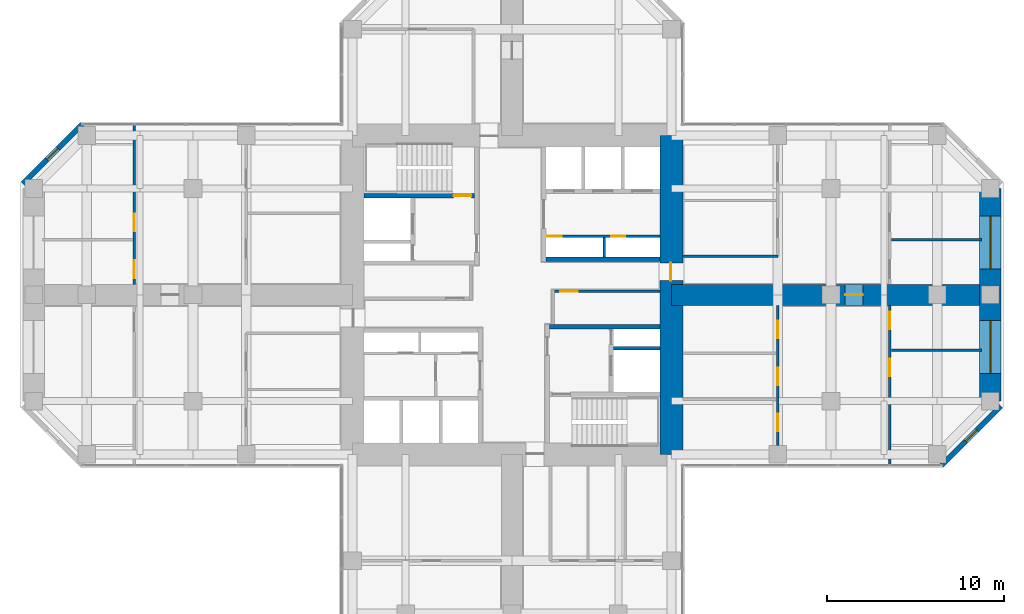
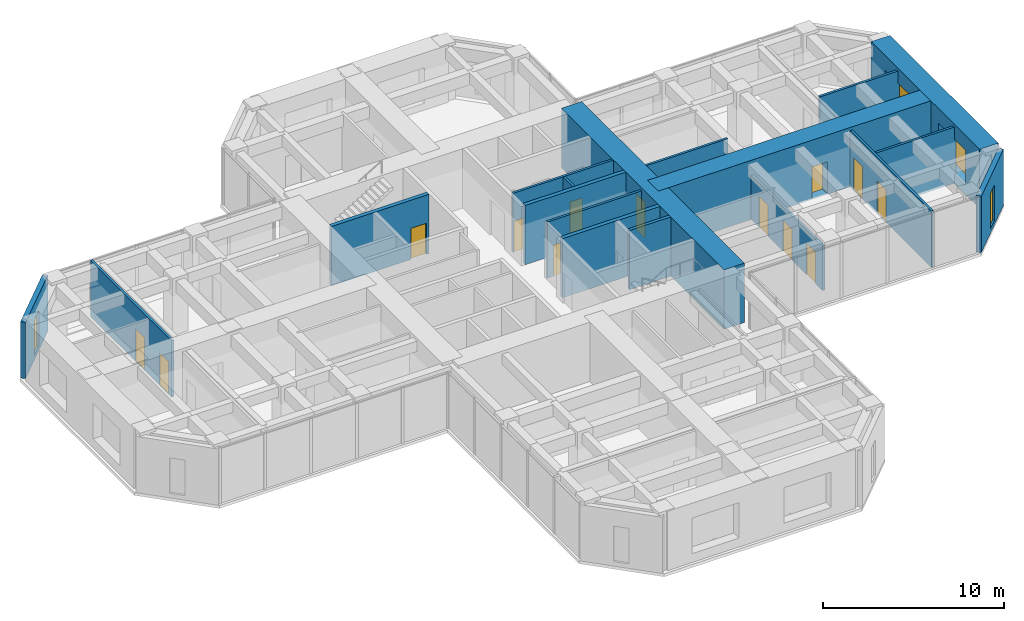
# One storey, part 10 of 13: 18 walls, 13 doors, 4 windows, 17 openings.
"""IFC4 building model written with IfcOpenShell, lengths in metres."""

from ifc_helpers import new_model, si_unit, direction, frame, frame_2d, origin, place, context, subcontext, project, spatial, rectangle, hollow_rectangle, extrude, material, layer, layer_set, constituent, constituent_set, type_object, element, fill, save


model = new_model("IFC4")

# Units and contexts
model_context = context("Model", 3, precision=1e-05, world=origin(), true_north=direction((0.0, 1.0)))
body_context = subcontext(model_context, "Body", "Model", "MODEL_VIEW")
ifc_project = project(units=[si_unit("LENGTHUNIT", "METRE"), si_unit("AREAUNIT", "SQUARE_METRE"), si_unit("VOLUMEUNIT", "CUBIC_METRE"), si_unit("PLANEANGLEUNIT", "RADIAN"), si_unit("MASSUNIT", "GRAM", prefix="KILO")], contexts=[model_context])

# Site, building, storey
site_placement = place(None, origin())
site = spatial("IfcSite", under=ifc_project, at=site_placement, CompositionType="ELEMENT")
building_placement = place(site_placement, origin())
building = spatial("IfcBuilding", under=site, at=building_placement, Name="Torre Cruceta", CompositionType="ELEMENT")
storey_placement = place(building_placement, frame((0.0, 0.0, 124.5)))
storey = spatial("IfcBuildingStorey", under=building, at=storey_placement, Name="L30", CompositionType="ELEMENT", Elevation=124.5)

# Wall
ifc_material_1 = material(Name="Concrete G60 (fck 60 MPa)", Category="concrete")
ifc_layer_1 = layer(ifc_material_1, 0.25)
ifc_layer_set_1 = layer_set([ifc_layer_1], Name="Concrete G60 (fck 60 MPa)")
wall_type_1 = type_object("IfcWallType", Name="CORE INNER WALL 250 G60", PredefinedType="SHEAR", material=ifc_layer_set_1)
wall_1_placement = place(storey_placement, frame((1.925048828125, 2.0, 0.0), z_axis=(0.0, 0.0, 1.0), x_axis=(1.0, 0.0, 0.0)))
element("IfcWall", 1, at=wall_1_placement, inside=storey, type_object=wall_type_1, Name="CW4 L30 NE-CV", PredefinedType="SHEAR", context=body_context, shape_type="SweptSolid", body=[
    extrude(rectangle(XDim=6.425048828125, YDim=0.25, at=frame_2d((3.21240234375, 0.0))), origin(), (0.0, 0.0, 1.0), 4.0),
])

# Wall, opening, door
wall_2_placement = place(storey_placement, frame((-2.125, 5.60009765625, 0.0), z_axis=(0.0, 0.0, 1.0), x_axis=(-1.0, 0.0, 0.0)))
wall_2 = element("IfcWall", 2, at=wall_2_placement, inside=storey, type_object=wall_type_1, Name="CW4 L30 NW-SV", PredefinedType="SHEAR", context=body_context, shape_type="SweptSolid", body=[
    extrude(rectangle(XDim=6.22509765625, YDim=0.25, at=frame_2d((3.112548828125, 0.0))), origin(), (0.0, 0.0, 1.0), 4.0),
])
opening_1_placement = place(wall_2_placement, frame((0.175048828125, 0.0, 0.0)))
opening_1 = element("IfcOpeningElement", 3, at=opening_1_placement, cuts=wall_2, Name="Opening D3", PredefinedType="OPENING", context=body_context, shape_type="SweptSolid", body=[
    extrude(rectangle(XDim=1.0, YDim=2.10009765625, at=frame_2d((0.5, 1.050048828125))), frame((0.0, 0.135009765625, 0.0), z_axis=(0.0, -1.0, 0.0), x_axis=(1.0, 0.0, 0.0)), (0.0, 0.0, 1.0), 0.27001953125),
])
ifc_material_2 = material(Name="Steel DX51D", Category="steel")
ifc_constituent_1 = constituent(ifc_material_2, Name="Leaf and frame")
ifc_material_3 = material(Name="Polyester powder coating", Category="paint")
ifc_constituent_2 = constituent(ifc_material_3, Name="Finish")
ifc_constituent_set_1 = constituent_set(constituents=[ifc_constituent_1, ifc_constituent_2], Name="Steel fire door")
door_type_1 = type_object("IfcDoorType", Name="FIRE DOOR 1000X2100", OperationType="SINGLE_SWING_LEFT", PredefinedType="DOOR", material=ifc_constituent_set_1)
door_1_placement = place(opening_1_placement, frame((1.0, 0.0, 0.0), z_axis=(0.0, 0.0, 1.0), x_axis=(-1.0, 0.0, 0.0)))
door_1 = element("IfcDoor", 4, at=door_1_placement, inside=storey, type_object=door_type_1, Name="D3 L30 NW-STAIR", OperationType="SINGLE_SWING_RIGHT", OverallHeight=2.10009765625, OverallWidth=1.0, PredefinedType="DOOR", context=body_context, shape_type="SweptSolid", body=[
    extrude(rectangle(XDim=1.0, YDim=2.10009765625, at=frame_2d((0.5, 1.050048828125))), frame((0.0, 0.025146484375, 0.0), z_axis=(0.0, -1.0, 0.0), x_axis=(1.0, 0.0, 0.0)), (0.0, 0.0, 1.0), 0.050048828125),
])
fill(opening_1, door_1)

# Wall
wall_3_placement = place(storey_placement, frame((2.125, -1.800048828125, 0.0), z_axis=(0.0, 0.0, 1.0), x_axis=(1.0, 0.0, 0.0)))
element("IfcWall", 5, at=wall_3_placement, inside=storey, type_object=wall_type_1, Name="CW4 L30 SE-CV", PredefinedType="SHEAR", context=body_context, shape_type="SweptSolid", body=[
    extrude(rectangle(XDim=6.22509765625, YDim=0.25, at=frame_2d((3.112548828125, 0.0))), origin(), (0.0, 0.0, 1.0), 4.0),
])

# Wall, opening, door
ifc_material_4 = material(Name="Concrete G60 (fck 60 MPa)", Category="concrete")
ifc_layer_2 = layer(ifc_material_4, 1.300048828125)
ifc_layer_set_2 = layer_set([ifc_layer_2], Name="Concrete G60 (fck 60 MPa)")
wall_type_2 = type_object("IfcWallType", Name="CORE WALL 1300 G60", PredefinedType="SHEAR", material=ifc_layer_set_2)
wall_4_placement = place(storey_placement, frame((9.0, -9.0, 0.0), z_axis=(0.0, 0.0, 1.0), x_axis=(0.0, 1.0, 0.0)))
wall_4 = element("IfcWall", 6, at=wall_4_placement, inside=storey, type_object=wall_type_2, Name="CW1 L30 CW-E", PredefinedType="SHEAR", context=body_context, shape_type="SweptSolid", body=[
    extrude(rectangle(XDim=18.0, YDim=1.300048828125, at=frame_2d((9.0, 0.0))), origin(), (0.0, 0.0, 1.0), 4.0),
])
opening_2_placement = place(wall_4_placement, frame((9.800048828125, 0.0, 0.0)))
opening_2 = element("IfcOpeningElement", 7, at=opening_2_placement, cuts=wall_4, Name="Opening D4", PredefinedType="OPENING", context=body_context, shape_type="SweptSolid", body=[
    extrude(rectangle(XDim=1.0, YDim=2.39990234375, at=frame_2d((0.5, 1.199951171875))), frame((0.0, 0.659912109375, 0.0), z_axis=(0.0, -1.0, 0.0), x_axis=(1.0, 0.0, 0.0)), (0.0, 0.0, 1.0), 1.320068359375),
])
ifc_material_5 = material(Name="Steel DX51D", Category="steel")
ifc_constituent_3 = constituent(ifc_material_5, Name="Leaf and frame")
ifc_material_6 = material(Name="Polyester powder coating", Category="paint")
ifc_constituent_4 = constituent(ifc_material_6, Name="Finish")
ifc_constituent_set_2 = constituent_set(constituents=[ifc_constituent_3, ifc_constituent_4], Name="Steel fire door")
door_type_2 = type_object("IfcDoorType", Name="CORE ARM DOOR 1000X2400", OperationType="SINGLE_SWING_RIGHT", PredefinedType="DOOR", material=ifc_constituent_set_2)
door_2_placement = place(opening_2_placement, frame((1.0, 0.0, 0.0), z_axis=(0.0, 0.0, 1.0), x_axis=(-1.0, 0.0, 0.0)))
door_2 = element("IfcDoor", 8, at=door_2_placement, inside=storey, type_object=door_type_2, Name="D4 L30 CW-E", OperationType="SINGLE_SWING_RIGHT", OverallHeight=2.39990234375, OverallWidth=1.0, PredefinedType="DOOR", context=body_context, shape_type="SweptSolid", body=[
    extrude(rectangle(XDim=1.0, YDim=2.39990234375, at=frame_2d((0.5, 1.199951171875))), frame((0.0, -0.005126953125, 0.0), z_axis=(0.0, -1.0, 0.0), x_axis=(1.0, 0.0, 0.0)), (0.0, 0.0, 1.0), 0.050048828125),
])
fill(opening_2, door_2)

# Wall, opening, window
ifc_material_7 = material(Name="Concrete G30 (fck 30 MPa)", Category="concrete")
ifc_layer_3 = layer(ifc_material_7, 0.300048828125)
ifc_layer_set_3 = layer_set([ifc_layer_3], Name="Concrete G30 (fck 30 MPa)")
wall_type_3 = type_object("IfcWallType", Name="EXPOSED CONCRETE FACADE WALL 300", PredefinedType="SOLIDWALL", material=ifc_layer_set_3)
wall_5_placement = place(storey_placement, frame((24.2568359375, -9.6201171875, 0.0), z_axis=(0.0, 0.0, 1.0), x_axis=(0.707106781187, 0.707106781187, 0.0)))
wall_5 = element("IfcWall", 9, at=wall_5_placement, inside=storey, type_object=wall_type_3, Name="EW1 facade wall L30 E chamfer 01", PredefinedType="SOLIDWALL", context=body_context, shape_type="SweptSolid", body=[
    extrude(rectangle(XDim=4.72802734375, YDim=0.300048828125, at=frame_2d((2.364013671875, 0.0))), origin(), (0.0, 0.0, 1.0), 3.800048828125),
])
opening_3_placement = place(wall_5_placement, frame((1.9140625, 0.0, 0.300048828125)))
opening_3 = element("IfcOpeningElement", 10, at=opening_3_placement, cuts=wall_5, Name="Opening WN5", PredefinedType="OPENING", context=body_context, shape_type="SweptSolid", body=[
    extrude(rectangle(XDim=0.89990234375, YDim=2.39990234375, at=frame_2d((0.449951171875, 1.199951171875))), frame((0.0, 0.159912109375, 0.0), z_axis=(0.0, -1.0, 0.0), x_axis=(1.0, 0.0, 0.0)), (0.0, 0.0, 1.0), 0.320068359375),
])
ifc_material_8 = material(Name="Aluminium window frame", Category="aluminium")
ifc_constituent_5 = constituent(ifc_material_8, Name="Frame")
ifc_material_9 = material(Name="Laminated insulating glass unit, low-iron clear", Category="glass")
ifc_constituent_6 = constituent(ifc_material_9, Name="Glazing")
ifc_constituent_set_3 = constituent_set(constituents=[ifc_constituent_5, ifc_constituent_6], Name="Aluminium window")
window_type_1 = type_object("IfcWindowType", Name="CHAMFER SLOT WINDOW 900X2400", PartitioningType="SINGLE_PANEL", PredefinedType="WINDOW", material=ifc_constituent_set_3)
window_1_placement = place(opening_3_placement, origin())
window_1 = element("IfcWindow", 11, at=window_1_placement, inside=storey, type_object=window_type_1, Name="WN5 L30 E 1", OverallHeight=2.39990234375, OverallWidth=0.89990234375, PartitioningType="SINGLE_PANEL", PredefinedType="WINDOW", context=body_context, shape_type="SweptSolid", body=[
    extrude(hollow_rectangle(XDim=0.89990234375, YDim=2.39990234375, WallThickness=0.06005859375, at=frame_2d((0.449951171875, 1.199951171875))), frame((0.0, 0.030029296875, 0.0), z_axis=(0.0, -1.0, 0.0), x_axis=(1.0, 0.0, 0.0)), (0.0, 0.0, 1.0), 0.06005859375),
    extrude(rectangle(XDim=0.77880859375, YDim=2.27880859375, at=frame_2d((0.449951171875, 1.199951171875))), frame((0.0, 0.030029296875, 0.0), z_axis=(0.0, -1.0, 0.0), x_axis=(1.0, 0.0, 0.0)), (0.0, 0.0, 1.0), 0.06005859375),
])
fill(opening_3, window_1)

wall_6_placement = place(storey_placement, frame((-24.2568359375, 9.6201171875, 0.0), z_axis=(0.0, 0.0, 1.0), x_axis=(-0.707106781187, -0.707106781187, 0.0)))
wall_6 = element("IfcWall", 12, at=wall_6_placement, inside=storey, type_object=wall_type_3, Name="EW1 facade wall L30 W chamfer 11", PredefinedType="SOLIDWALL", context=body_context, shape_type="SweptSolid", body=[
    extrude(rectangle(XDim=4.72802734375, YDim=0.300048828125, at=frame_2d((2.364013671875, 0.0))), origin(), (0.0, 0.0, 1.0), 3.800048828125),
])
opening_4_placement = place(wall_6_placement, frame((1.9140625, 0.0, 0.300048828125)))
opening_4 = element("IfcOpeningElement", 13, at=opening_4_placement, cuts=wall_6, Name="Opening WN5", PredefinedType="OPENING", context=body_context, shape_type="SweptSolid", body=[
    extrude(rectangle(XDim=0.89990234375, YDim=2.39990234375, at=frame_2d((0.449951171875, 1.199951171875))), frame((0.0, 0.159912109375, 0.0), z_axis=(0.0, -1.0, 0.0), x_axis=(1.0, 0.0, 0.0)), (0.0, 0.0, 1.0), 0.320068359375),
])
window_2_placement = place(opening_4_placement, origin())
window_2 = element("IfcWindow", 14, at=window_2_placement, inside=storey, type_object=window_type_1, Name="WN5 L30 W 1", OverallHeight=2.39990234375, OverallWidth=0.89990234375, PartitioningType="SINGLE_PANEL", PredefinedType="WINDOW", context=body_context, shape_type="SweptSolid", body=[
    extrude(hollow_rectangle(XDim=0.89990234375, YDim=2.39990234375, WallThickness=0.06005859375, at=frame_2d((0.449951171875, 1.199951171875))), frame((0.0, 0.030029296875, 0.0), z_axis=(0.0, -1.0, 0.0), x_axis=(1.0, 0.0, 0.0)), (0.0, 0.0, 1.0), 0.06005859375),
    extrude(rectangle(XDim=0.77880859375, YDim=2.27880859375, at=frame_2d((0.449951171875, 1.199951171875))), frame((0.0, 0.030029296875, 0.0), z_axis=(0.0, -1.0, 0.0), x_axis=(1.0, 0.0, 0.0)), (0.0, 0.0, 1.0), 0.06005859375),
])
fill(opening_4, window_2)

# Wall
ifc_material_10 = material(Name="Concrete G35 (fck 35 MPa)", Category="concrete")
ifc_layer_4 = layer(ifc_material_10, 0.199951171875)
ifc_layer_set_4 = layer_set([ifc_layer_4], Name="Concrete G35 (fck 35 MPa)")
wall_type_4 = type_object("IfcWallType", Name="LIFT SHAFT WALL 200", PredefinedType="PARTITIONING", material=ifc_layer_set_4)
wall_7_placement = place(storey_placement, frame((5.72509765625, -3.0, 0.0), z_axis=(0.0, 0.0, 1.0), x_axis=(1.0, 0.0, 0.0)))
element("IfcWall", 15, at=wall_7_placement, inside=storey, type_object=wall_type_4, Name="SW1 L30 SE-FR", PredefinedType="PARTITIONING", context=body_context, shape_type="SweptSolid", body=[
    extrude(rectangle(XDim=2.625, YDim=0.199951171875, at=frame_2d((1.3125, 0.0))), origin(), (0.0, 0.0, 1.0), 4.0),
])

# Wall, openings, windows
ifc_material_11 = material(Name="Concrete G60 (fck 60 MPa)", Category="concrete")
ifc_layer_5 = layer(ifc_material_11, 1.199951171875)
ifc_layer_set_5 = layer_set([ifc_layer_5], Name="Concrete G60 (fck 60 MPa)")
wall_type_5 = type_object("IfcWallType", Name="NOSE WALL 1200 G60", PredefinedType="SHEAR", material=ifc_layer_set_5)
wall_8_placement = place(storey_placement, frame((27.0, -6.0, 0.0), z_axis=(0.0, 0.0, 1.0), x_axis=(0.0, 1.0, 0.0)))
wall_8 = element("IfcWall", 16, at=wall_8_placement, inside=storey, type_object=wall_type_5, Name="NW1 nose wall L30 E", PredefinedType="SHEAR", context=body_context, shape_type="SweptSolid", body=[
    extrude(rectangle(XDim=12.0, YDim=1.199951171875, at=frame_2d((6.0, 0.0))), origin(), (0.0, 0.0, 1.0), 4.0),
])
opening_5_placement = place(wall_8_placement, frame((1.550048828125, 0.0, 0.60009765625)))
opening_5 = element("IfcOpeningElement", 17, at=opening_5_placement, cuts=wall_8, Name="Opening WN6", PredefinedType="OPENING", context=body_context, shape_type="SweptSolid", body=[
    extrude(rectangle(XDim=3.0, YDim=2.39990234375, at=frame_2d((1.5, 1.199951171875))), frame((0.0, 0.60986328125, 0.0), z_axis=(0.0, -1.0, 0.0), x_axis=(1.0, 0.0, 0.0)), (0.0, 0.0, 1.0), 1.219970703125),
])
opening_6_placement = place(wall_8_placement, frame((7.449951171875, 0.0, 0.60009765625)))
opening_6 = element("IfcOpeningElement", 18, at=opening_6_placement, cuts=wall_8, Name="Opening WN6", PredefinedType="OPENING", context=body_context, shape_type="SweptSolid", body=[
    extrude(rectangle(XDim=3.0, YDim=2.39990234375, at=frame_2d((1.5, 1.199951171875))), frame((0.0, 0.60986328125, 0.0), z_axis=(0.0, -1.0, 0.0), x_axis=(1.0, 0.0, 0.0)), (0.0, 0.0, 1.0), 1.219970703125),
])
ifc_material_12 = material(Name="Aluminium window frame", Category="aluminium")
ifc_constituent_7 = constituent(ifc_material_12, Name="Frame")
ifc_material_13 = material(Name="Laminated insulating glass unit, low-iron clear", Category="glass")
ifc_constituent_8 = constituent(ifc_material_13, Name="Glazing")
ifc_constituent_set_4 = constituent_set(constituents=[ifc_constituent_7, ifc_constituent_8], Name="Aluminium window")
window_type_2 = type_object("IfcWindowType", Name="NOSE WALL WINDOW 3000X2400", PartitioningType="SINGLE_PANEL", PredefinedType="WINDOW", material=ifc_constituent_set_4)
window_3_placement = place(opening_5_placement, origin())
window_3 = element("IfcWindow", 19, at=window_3_placement, inside=storey, type_object=window_type_2, Name="WN6 L30 E 1", OverallHeight=2.39990234375, OverallWidth=3.0, PartitioningType="SINGLE_PANEL", PredefinedType="WINDOW", context=body_context, shape_type="SweptSolid", body=[
    extrude(hollow_rectangle(XDim=3.0, YDim=2.39990234375, WallThickness=0.06005859375, at=frame_2d((1.5, 1.199951171875))), frame((0.0, 0.030029296875, 0.0), z_axis=(0.0, -1.0, 0.0), x_axis=(1.0, 0.0, 0.0)), (0.0, 0.0, 1.0), 0.06005859375),
    extrude(rectangle(XDim=2.87890625, YDim=2.27880859375, at=frame_2d((1.5, 1.199951171875))), frame((0.0, 0.030029296875, 0.0), z_axis=(0.0, -1.0, 0.0), x_axis=(1.0, 0.0, 0.0)), (0.0, 0.0, 1.0), 0.06005859375),
])
fill(opening_5, window_3)
window_4_placement = place(opening_6_placement, origin())
window_4 = element("IfcWindow", 20, at=window_4_placement, inside=storey, type_object=window_type_2, Name="WN6 L30 E 2", OverallHeight=2.39990234375, OverallWidth=3.0, PartitioningType="SINGLE_PANEL", PredefinedType="WINDOW", context=body_context, shape_type="SweptSolid", body=[
    extrude(hollow_rectangle(XDim=3.0, YDim=2.39990234375, WallThickness=0.06005859375, at=frame_2d((1.5, 1.199951171875))), frame((0.0, 0.030029296875, 0.0), z_axis=(0.0, -1.0, 0.0), x_axis=(1.0, 0.0, 0.0)), (0.0, 0.0, 1.0), 0.06005859375),
    extrude(rectangle(XDim=2.87890625, YDim=2.27880859375, at=frame_2d((1.5, 1.199951171875))), frame((0.0, 0.030029296875, 0.0), z_axis=(0.0, -1.0, 0.0), x_axis=(1.0, 0.0, 0.0)), (0.0, 0.0, 1.0), 0.06005859375),
])
fill(opening_6, window_4)

# Wall, opening, door
ifc_material_14 = material(Name="Plasterboard on steel studs", Category="steel")
ifc_layer_6 = layer(ifc_material_14, 0.14990234375)
ifc_layer_set_6 = layer_set([ifc_layer_6], Name="Plasterboard on steel studs")
wall_type_6 = type_object("IfcWallType", Name="PARTITION 150", PredefinedType="PARTITIONING", material=ifc_layer_set_6)
wall_9_placement = place(storey_placement, frame((2.324951171875, 0.199951171875, 0.0), z_axis=(0.0, 0.0, 1.0), x_axis=(1.0, 0.0, 0.0)))
wall_9 = element("IfcWall", 21, at=wall_9_placement, inside=storey, type_object=wall_type_6, Name="PT1 L30-CORE-LEGE-S-W1", PredefinedType="PARTITIONING", context=body_context, shape_type="SweptSolid", body=[
    extrude(rectangle(XDim=6.025146484375, YDim=0.14990234375, at=frame_2d((3.0126953125, 0.0))), origin(), (0.0, 0.0, 1.0), 3.800048828125),
])
opening_7_placement = place(wall_9_placement, frame((0.39990234375, 0.0, 0.0)))
opening_7 = element("IfcOpeningElement", 22, at=opening_7_placement, cuts=wall_9, Name="Opening D3", PredefinedType="OPENING", context=body_context, shape_type="SweptSolid", body=[
    extrude(rectangle(XDim=1.0, YDim=2.10009765625, at=frame_2d((0.5, 1.050048828125))), frame((0.0, 0.0849609375, 0.0), z_axis=(0.0, -1.0, 0.0), x_axis=(1.0, 0.0, 0.0)), (0.0, 0.0, 1.0), 0.169921875),
])
door_3_placement = place(opening_7_placement, frame((1.0, 0.0, 0.0), z_axis=(0.0, 0.0, 1.0), x_axis=(-1.0, 0.0, 0.0)))
door_3 = element("IfcDoor", 23, at=door_3_placement, inside=storey, type_object=door_type_1, Name="D3 L30-CORE-LEGE-S-W1-D1", OperationType="SINGLE_SWING_RIGHT", OverallHeight=2.10009765625, OverallWidth=1.0, PredefinedType="DOOR", context=body_context, shape_type="SweptSolid", body=[
    extrude(rectangle(XDim=1.0, YDim=2.10009765625, at=frame_2d((0.5, 1.050048828125))), frame((0.0, 0.025146484375, 0.0), z_axis=(0.0, -1.0, 0.0), x_axis=(1.0, 0.0, 0.0)), (0.0, 0.0, 1.0), 0.050048828125),
])
fill(opening_7, door_3)

# Wall
wall_10_placement = place(storey_placement, frame((9.64990234375, 2.175048828125, 0.0), z_axis=(0.0, 0.0, 1.0), x_axis=(1.0, 0.0, 0.0)))
element("IfcWall", 24, at=wall_10_placement, inside=storey, type_object=wall_type_6, Name="PT1 L30-E-BSL", PredefinedType="PARTITIONING", context=body_context, shape_type="SweptSolid", body=[
    extrude(rectangle(XDim=5.35009765625, YDim=0.14990234375, at=frame_2d((2.675048828125, 0.0))), origin(), (0.0, 0.0, 1.0), 3.800048828125),
])

# Wall, openings, doors
wall_11_placement = place(storey_placement, frame((15.0, -8.5, 0.0), z_axis=(0.0, 0.0, 1.0), x_axis=(0.0, 1.0, 0.0)))
wall_11 = element("IfcWall", 25, at=wall_11_placement, inside=storey, type_object=wall_type_6, Name="PT1 L30-E-BFR", PredefinedType="PARTITIONING", context=body_context, shape_type="SweptSolid", body=[
    extrude(rectangle(XDim=7.89990234375, YDim=0.14990234375, at=frame_2d((3.949951171875, 0.0))), origin(), (0.0, 0.0, 1.0), 3.0),
])
opening_8_placement = place(wall_11_placement, frame((0.800048828125, 0.0, 0.0)))
opening_8 = element("IfcOpeningElement", 26, at=opening_8_placement, cuts=wall_11, Name="Opening D3", PredefinedType="OPENING", context=body_context, shape_type="SweptSolid", body=[
    extrude(rectangle(XDim=1.0, YDim=2.10009765625, at=frame_2d((0.5, 1.050048828125))), frame((0.0, 0.0849609375, 0.0), z_axis=(0.0, -1.0, 0.0), x_axis=(1.0, 0.0, 0.0)), (0.0, 0.0, 1.0), 0.169921875),
])
opening_9_placement = place(wall_11_placement, frame((3.39990234375, 0.0, 0.0)))
opening_9 = element("IfcOpeningElement", 27, at=opening_9_placement, cuts=wall_11, Name="Opening D3", PredefinedType="OPENING", context=body_context, shape_type="SweptSolid", body=[
    extrude(rectangle(XDim=1.0, YDim=2.10009765625, at=frame_2d((0.5, 1.050048828125))), frame((0.0, 0.0849609375, 0.0), z_axis=(0.0, -1.0, 0.0), x_axis=(1.0, 0.0, 0.0)), (0.0, 0.0, 1.0), 0.169921875),
])
opening_10_placement = place(wall_11_placement, frame((6.050048828125, 0.0, 0.0)))
opening_10 = element("IfcOpeningElement", 28, at=opening_10_placement, cuts=wall_11, Name="Opening D3", PredefinedType="OPENING", context=body_context, shape_type="SweptSolid", body=[
    extrude(rectangle(XDim=1.0, YDim=2.10009765625, at=frame_2d((0.5, 1.050048828125))), frame((0.0, 0.0849609375, 0.0), z_axis=(0.0, -1.0, 0.0), x_axis=(1.0, 0.0, 0.0)), (0.0, 0.0, 1.0), 0.169921875),
])
door_4_placement = place(opening_8_placement, origin())
door_4 = element("IfcDoor", 29, at=door_4_placement, inside=storey, type_object=door_type_1, Name="D3 L30-E-BFR-D1", OperationType="SINGLE_SWING_RIGHT", OverallHeight=2.10009765625, OverallWidth=1.0, PredefinedType="DOOR", context=body_context, shape_type="SweptSolid", body=[
    extrude(rectangle(XDim=1.0, YDim=2.10009765625, at=frame_2d((0.5, 1.050048828125))), frame((0.0, 0.02490234375, 0.0), z_axis=(0.0, -1.0, 0.0), x_axis=(1.0, 0.0, 0.0)), (0.0, 0.0, 1.0), 0.050048828125),
])
fill(opening_8, door_4)
door_5_placement = place(opening_9_placement, origin())
door_5 = element("IfcDoor", 30, at=door_5_placement, inside=storey, type_object=door_type_1, Name="D3 L30-E-BFR-D2", OperationType="SINGLE_SWING_LEFT", OverallHeight=2.10009765625, OverallWidth=1.0, PredefinedType="DOOR", context=body_context, shape_type="SweptSolid", body=[
    extrude(rectangle(XDim=1.0, YDim=2.10009765625, at=frame_2d((0.5, 1.050048828125))), frame((0.0, 0.02490234375, 0.0), z_axis=(0.0, -1.0, 0.0), x_axis=(1.0, 0.0, 0.0)), (0.0, 0.0, 1.0), 0.050048828125),
])
fill(opening_9, door_5)
door_6_placement = place(opening_10_placement, origin())
door_6 = element("IfcDoor", 31, at=door_6_placement, inside=storey, type_object=door_type_1, Name="D3 L30-E-BFR-D3", OperationType="SINGLE_SWING_LEFT", OverallHeight=2.10009765625, OverallWidth=1.0, PredefinedType="DOOR", context=body_context, shape_type="SweptSolid", body=[
    extrude(rectangle(XDim=1.0, YDim=2.10009765625, at=frame_2d((0.5, 1.050048828125))), frame((0.0, 0.02490234375, 0.0), z_axis=(0.0, -1.0, 0.0), x_axis=(1.0, 0.0, 0.0)), (0.0, 0.0, 1.0), 0.050048828125),
])
fill(opening_10, door_6)

# Walls
for number, where, z_axis, x_axis, name in (
    (32, (21.419921875, 3.117919921875, 0.0), (0.0, 0.0, 1.0), (1.0, 0.0, 0.0), "PT1 L30-E-TDL"),
    (33, (21.419921875, -3.117919921875, 0.0), (0.0, 0.0, 1.0), (1.0, 0.0, 0.0), "PT1 L30-E-TDR"),
):
    element("IfcWall", number, at=place(storey_placement, frame(where, z_axis=z_axis, x_axis=x_axis)), inside=storey, type_object=wall_type_6, Name=name, PredefinedType="PARTITIONING", context=body_context, shape_type="SweptSolid", body=[
        extrude(rectangle(XDim=5.080078125, YDim=0.14990234375, at=frame_2d((2.5400390625, 0.0))), origin(), (0.0, 0.0, 1.0), 3.800048828125),
    ])

# Wall, openings, doors
wall_12_placement = place(storey_placement, frame((21.320068359375, -9.580078125, 0.0), z_axis=(0.0, 0.0, 1.0), x_axis=(0.0, 1.0, 0.0)))
wall_12 = element("IfcWall", 34, at=wall_12_placement, inside=storey, type_object=wall_type_6, Name="PT1 L30-E-TWR", PredefinedType="PARTITIONING", context=body_context, shape_type="SweptSolid", body=[
    extrude(rectangle(XDim=8.97998046875, YDim=0.14990234375, at=frame_2d((4.489990234375, 0.0))), origin(), (0.0, 0.0, 1.0), 3.800048828125),
])
opening_11_placement = place(wall_12_placement, frame((4.987060546875, 0.0, 0.0)))
opening_11 = element("IfcOpeningElement", 35, at=opening_11_placement, cuts=wall_12, Name="Opening D14", PredefinedType="OPENING", context=body_context, shape_type="SweptSolid", body=[
    extrude(rectangle(XDim=1.0, YDim=2.199951171875, at=frame_2d((0.5, 1.10009765625))), frame((0.0, 0.0849609375, 0.0), z_axis=(0.0, -1.0, 0.0), x_axis=(1.0, 0.0, 0.0)), (0.0, 0.0, 1.0), 0.169921875),
])
opening_12_placement = place(wall_12_placement, frame((7.6298828125, 0.0, 0.0)))
opening_12 = element("IfcOpeningElement", 36, at=opening_12_placement, cuts=wall_12, Name="Opening D14", PredefinedType="OPENING", context=body_context, shape_type="SweptSolid", body=[
    extrude(rectangle(XDim=1.0, YDim=2.199951171875, at=frame_2d((0.5, 1.10009765625))), frame((0.0, 0.0849609375, 0.0), z_axis=(0.0, -1.0, 0.0), x_axis=(1.0, 0.0, 0.0)), (0.0, 0.0, 1.0), 0.169921875),
])
ifc_material_15 = material(Name="Steel DX51D", Category="steel")
ifc_constituent_9 = constituent(ifc_material_15, Name="Leaf and frame")
ifc_material_16 = material(Name="Polyester powder coating", Category="paint")
ifc_constituent_10 = constituent(ifc_material_16, Name="Finish")
ifc_material_17 = material(Name="Fire-resisting glass", Category="glass")
ifc_constituent_11 = constituent(ifc_material_17, Name="Vision panel")
ifc_constituent_set_5 = constituent_set(constituents=[ifc_constituent_9, ifc_constituent_10, ifc_constituent_11], Name="Steel fire door with vision panel")
door_type_3 = type_object("IfcDoorType", Name="FIRE DOOR VISION PANEL 1000X2200", OperationType="SINGLE_SWING_RIGHT", PredefinedType="DOOR", material=ifc_constituent_set_5)
door_7_placement = place(opening_11_placement, frame((1.0, 0.0, 0.0), z_axis=(0.0, 0.0, 1.0), x_axis=(-1.0, 0.0, 0.0)))
door_7 = element("IfcDoor", 37, at=door_7_placement, inside=storey, type_object=door_type_3, Name="D14 L30-E-TWR-D1", OperationType="SINGLE_SWING_LEFT", OverallHeight=2.199951171875, OverallWidth=1.0, PredefinedType="DOOR", context=body_context, shape_type="SweptSolid", body=[
    extrude(rectangle(XDim=1.0, YDim=2.199951171875, at=frame_2d((0.5, 1.10009765625))), frame((0.0, 0.025146484375, 0.0), z_axis=(0.0, -1.0, 0.0), x_axis=(1.0, 0.0, 0.0)), (0.0, 0.0, 1.0), 0.050048828125),
])
fill(opening_11, door_7)
door_8_placement = place(opening_12_placement, frame((1.0, 0.0, 0.0), z_axis=(0.0, 0.0, 1.0), x_axis=(-1.0, 0.0, 0.0)))
door_8 = element("IfcDoor", 38, at=door_8_placement, inside=storey, type_object=door_type_3, Name="D14 L30-E-TWR-D2", OperationType="SINGLE_SWING_LEFT", OverallHeight=2.199951171875, OverallWidth=1.0, PredefinedType="DOOR", context=body_context, shape_type="SweptSolid", body=[
    extrude(rectangle(XDim=1.0, YDim=2.199951171875, at=frame_2d((0.5, 1.10009765625))), frame((0.0, 0.025146484375, 0.0), z_axis=(0.0, -1.0, 0.0), x_axis=(1.0, 0.0, 0.0)), (0.0, 0.0, 1.0), 0.050048828125),
])
fill(opening_12, door_8)

wall_13_placement = place(storey_placement, frame((-21.320068359375, 9.580078125, 0.0), z_axis=(0.0, 0.0, 1.0), x_axis=(0.0, -1.0, 0.0)))
wall_13 = element("IfcWall", 39, at=wall_13_placement, inside=storey, type_object=wall_type_6, Name="PT1 L30-W-TWR", PredefinedType="PARTITIONING", context=body_context, shape_type="SweptSolid", body=[
    extrude(rectangle(XDim=8.97998046875, YDim=0.14990234375, at=frame_2d((4.489990234375, 0.0))), origin(), (0.0, 0.0, 1.0), 3.800048828125),
])
opening_13_placement = place(wall_13_placement, frame((4.987060546875, 0.0, 0.0)))
opening_13 = element("IfcOpeningElement", 40, at=opening_13_placement, cuts=wall_13, Name="Opening D14", PredefinedType="OPENING", context=body_context, shape_type="SweptSolid", body=[
    extrude(rectangle(XDim=1.0, YDim=2.199951171875, at=frame_2d((0.5, 1.10009765625))), frame((0.0, 0.0849609375, 0.0), z_axis=(0.0, -1.0, 0.0), x_axis=(1.0, 0.0, 0.0)), (0.0, 0.0, 1.0), 0.169921875),
])
opening_14_placement = place(wall_13_placement, frame((7.6298828125, 0.0, 0.0)))
opening_14 = element("IfcOpeningElement", 41, at=opening_14_placement, cuts=wall_13, Name="Opening D14", PredefinedType="OPENING", context=body_context, shape_type="SweptSolid", body=[
    extrude(rectangle(XDim=1.0, YDim=2.199951171875, at=frame_2d((0.5, 1.10009765625))), frame((0.0, 0.0849609375, 0.0), z_axis=(0.0, -1.0, 0.0), x_axis=(1.0, 0.0, 0.0)), (0.0, 0.0, 1.0), 0.169921875),
])
door_9_placement = place(opening_13_placement, frame((1.0, 0.0, 0.0), z_axis=(0.0, 0.0, 1.0), x_axis=(-1.0, 0.0, 0.0)))
door_9 = element("IfcDoor", 42, at=door_9_placement, inside=storey, type_object=door_type_3, Name="D14 L30-W-TWR-D1", OperationType="SINGLE_SWING_LEFT", OverallHeight=2.199951171875, OverallWidth=1.0, PredefinedType="DOOR", context=body_context, shape_type="SweptSolid", body=[
    extrude(rectangle(XDim=1.0, YDim=2.199951171875, at=frame_2d((0.5, 1.10009765625))), frame((0.0, 0.025146484375, 0.0), z_axis=(0.0, -1.0, 0.0), x_axis=(1.0, 0.0, 0.0)), (0.0, 0.0, 1.0), 0.050048828125),
])
fill(opening_13, door_9)
door_10_placement = place(opening_14_placement, frame((1.0, 0.0, 0.0), z_axis=(0.0, 0.0, 1.0), x_axis=(-1.0, 0.0, 0.0)))
door_10 = element("IfcDoor", 43, at=door_10_placement, inside=storey, type_object=door_type_3, Name="D14 L30-W-TWR-D2", OperationType="SINGLE_SWING_LEFT", OverallHeight=2.199951171875, OverallWidth=1.0, PredefinedType="DOOR", context=body_context, shape_type="SweptSolid", body=[
    extrude(rectangle(XDim=1.0, YDim=2.199951171875, at=frame_2d((0.5, 1.10009765625))), frame((0.0, 0.025146484375, 0.0), z_axis=(0.0, -1.0, 0.0), x_axis=(1.0, 0.0, 0.0)), (0.0, 0.0, 1.0), 0.050048828125),
])
fill(opening_14, door_10)

ifc_material_18 = material(Name="Concrete block masonry", Category="masonry")
ifc_layer_7 = layer(ifc_material_18, 0.14990234375)
ifc_layer_set_7 = layer_set([ifc_layer_7], Name="Concrete block masonry")
wall_type_7 = type_object("IfcWallType", Name="RISER WALL 150", PredefinedType="PARTITIONING", material=ifc_layer_set_7)
wall_14_placement = place(storey_placement, frame((1.925048828125, 3.300048828125, 0.0), z_axis=(0.0, 0.0, 1.0), x_axis=(1.0, 0.0, 0.0)))
wall_14 = element("IfcWall", 44, at=wall_14_placement, inside=storey, type_object=wall_type_7, Name="SW7 L30 NE-RV", PredefinedType="PARTITIONING", context=body_context, shape_type="SweptSolid", body=[
    extrude(rectangle(XDim=6.425048828125, YDim=0.14990234375, at=frame_2d((3.21240234375, 0.0))), origin(), (0.0, 0.0, 1.0), 4.0),
])
opening_15_placement = place(wall_14_placement, frame((0.074951171875, 0.0, 0.0)))
opening_15 = element("IfcOpeningElement", 45, at=opening_15_placement, cuts=wall_14, Name="Opening D5", PredefinedType="OPENING", context=body_context, shape_type="SweptSolid", body=[
    extrude(rectangle(XDim=0.800048828125, YDim=2.10009765625, at=frame_2d((0.39990234375, 1.050048828125))), frame((0.0, 0.0849609375, 0.0), z_axis=(0.0, -1.0, 0.0), x_axis=(1.0, 0.0, 0.0)), (0.0, 0.0, 1.0), 0.169921875),
])
opening_16_placement = place(wall_14_placement, frame((3.675048828125, 0.0, 0.0)))
opening_16 = element("IfcOpeningElement", 46, at=opening_16_placement, cuts=wall_14, Name="Opening D5", PredefinedType="OPENING", context=body_context, shape_type="SweptSolid", body=[
    extrude(rectangle(XDim=0.800048828125, YDim=2.10009765625, at=frame_2d((0.39990234375, 1.050048828125))), frame((0.0, 0.0849609375, 0.0), z_axis=(0.0, -1.0, 0.0), x_axis=(1.0, 0.0, 0.0)), (0.0, 0.0, 1.0), 0.169921875),
])
ifc_material_19 = material(Name="Steel DX51D", Category="steel")
ifc_constituent_12 = constituent(ifc_material_19, Name="Leaf and frame")
ifc_material_20 = material(Name="Polyester powder coating", Category="paint")
ifc_constituent_13 = constituent(ifc_material_20, Name="Finish")
ifc_constituent_set_6 = constituent_set(constituents=[ifc_constituent_12, ifc_constituent_13], Name="Steel fire door")
door_type_4 = type_object("IfcDoorType", Name="RISER ACCESS DOOR 800X2100", OperationType="SINGLE_SWING_LEFT", PredefinedType="DOOR", material=ifc_constituent_set_6)
door_11_placement = place(opening_15_placement, frame((0.800048828125, 0.0, 0.0), z_axis=(0.0, 0.0, 1.0), x_axis=(-1.0, 0.0, 0.0)))
door_11 = element("IfcDoor", 47, at=door_11_placement, inside=storey, type_object=door_type_4, Name="D5 L30 NE-RISER1", OperationType="SINGLE_SWING_RIGHT", OverallHeight=2.10009765625, OverallWidth=0.800048828125, PredefinedType="DOOR", context=body_context, shape_type="SweptSolid", body=[
    extrude(rectangle(XDim=0.800048828125, YDim=2.10009765625, at=frame_2d((0.400146484375, 1.050048828125))), frame((0.0, 0.025146484375, 0.0), z_axis=(0.0, -1.0, 0.0), x_axis=(1.0, 0.0, 0.0)), (0.0, 0.0, 1.0), 0.050048828125),
])
fill(opening_15, door_11)
door_12_placement = place(opening_16_placement, frame((0.800048828125, 0.0, 0.0), z_axis=(0.0, 0.0, 1.0), x_axis=(-1.0, 0.0, 0.0)))
door_12 = element("IfcDoor", 48, at=door_12_placement, inside=storey, type_object=door_type_4, Name="D5 L30 NE-RISER2", OperationType="SINGLE_SWING_RIGHT", OverallHeight=2.10009765625, OverallWidth=0.800048828125, PredefinedType="DOOR", context=body_context, shape_type="SweptSolid", body=[
    extrude(rectangle(XDim=0.800048828125, YDim=2.10009765625, at=frame_2d((0.400146484375, 1.050048828125))), frame((0.0, 0.025146484375, 0.0), z_axis=(0.0, -1.0, 0.0), x_axis=(1.0, 0.0, 0.0)), (0.0, 0.0, 1.0), 0.050048828125),
])
fill(opening_16, door_12)

# Wall
wall_15_placement = place(storey_placement, frame((5.199951171875, 2.125, 0.0), z_axis=(0.0, 0.0, 1.0), x_axis=(0.0, 1.0, 0.0)))
element("IfcWall", 49, at=wall_15_placement, inside=storey, type_object=wall_type_7, Name="SW7 L30 NE-RU", PredefinedType="PARTITIONING", context=body_context, shape_type="SweptSolid", body=[
    extrude(rectangle(XDim=1.10009765625, YDim=0.14990234375, at=frame_2d((0.550048828125, 0.0))), origin(), (0.0, 0.0, 1.0), 4.0),
])

# Wall, opening, door
ifc_material_21 = material(Name="Concrete G60 (fck 60 MPa)", Category="concrete")
ifc_layer_8 = layer(ifc_material_21, 1.199951171875)
ifc_layer_set_8 = layer_set([ifc_layer_8], Name="Concrete G60 (fck 60 MPa)")
wall_type_8 = type_object("IfcWallType", Name="SPINE WALL 1200 G60", PredefinedType="SHEAR", material=ifc_layer_set_8)
wall_16_placement = place(storey_placement, frame((9.0, 0.0, 0.0), z_axis=(0.0, 0.0, 1.0), x_axis=(1.0, 0.0, 0.0)))
wall_16 = element("IfcWall", 50, at=wall_16_placement, inside=storey, type_object=wall_type_8, Name="SW3 spine wall L30 E", PredefinedType="SHEAR", context=body_context, shape_type="SweptSolid", body=[
    extrude(rectangle(XDim=18.0, YDim=1.199951171875, at=frame_2d((9.0, 0.0))), origin(), (0.0, 0.0, 1.0), 4.0),
])
opening_17_placement = place(wall_16_placement, frame((9.800048828125, 0.0, 0.0)))
opening_17 = element("IfcOpeningElement", 51, at=opening_17_placement, cuts=wall_16, Name="Opening D14", PredefinedType="OPENING", context=body_context, shape_type="SweptSolid", body=[
    extrude(rectangle(XDim=1.0, YDim=2.199951171875, at=frame_2d((0.5, 1.10009765625))), frame((0.0, 0.60986328125, 0.0), z_axis=(0.0, -1.0, 0.0), x_axis=(1.0, 0.0, 0.0)), (0.0, 0.0, 1.0), 1.219970703125),
])
door_13_placement = place(opening_17_placement, frame((1.0, 0.0, 0.0), z_axis=(0.0, 0.0, 1.0), x_axis=(-1.0, 0.0, 0.0)))
door_13 = element("IfcDoor", 52, at=door_13_placement, inside=storey, type_object=door_type_3, Name="D14 L30-E-SP1", OperationType="SINGLE_SWING_LEFT", OverallHeight=2.199951171875, OverallWidth=1.0, PredefinedType="DOOR", context=body_context, shape_type="SweptSolid", body=[
    extrude(rectangle(XDim=1.0, YDim=2.199951171875, at=frame_2d((0.5, 1.10009765625))), frame((0.0, 0.025146484375, 0.0), z_axis=(0.0, -1.0, 0.0), x_axis=(1.0, 0.0, 0.0)), (0.0, 0.0, 1.0), 0.050048828125),
])
fill(opening_17, door_13)

save(model, "model.ifc")
